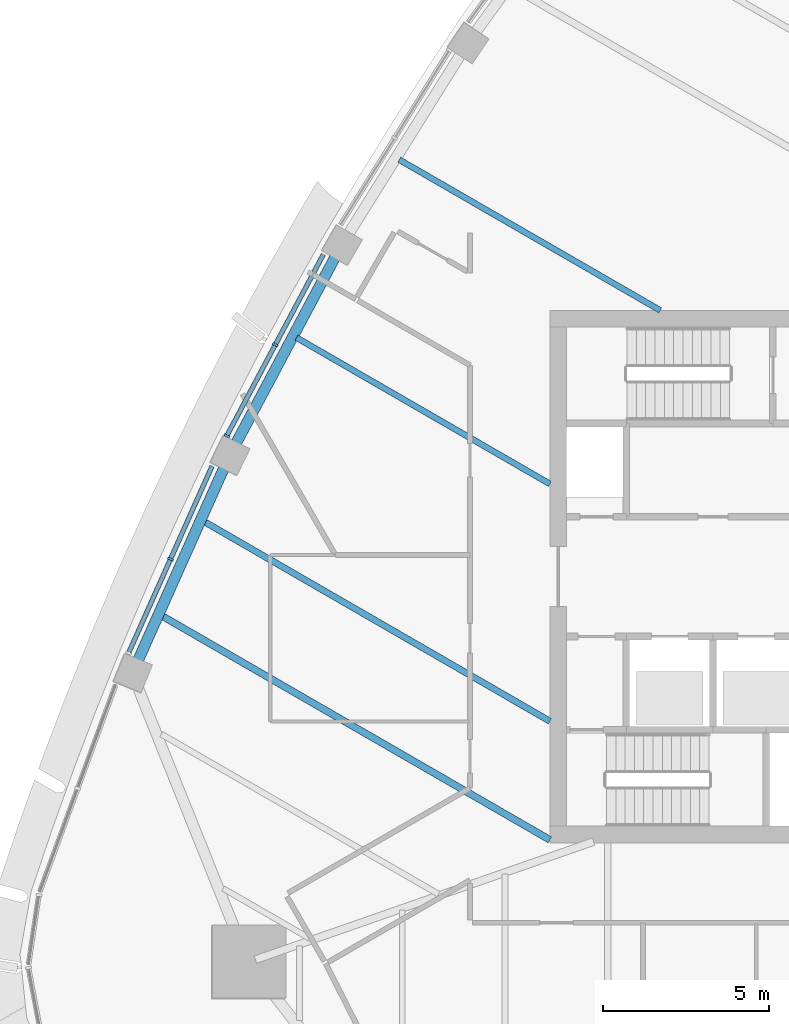
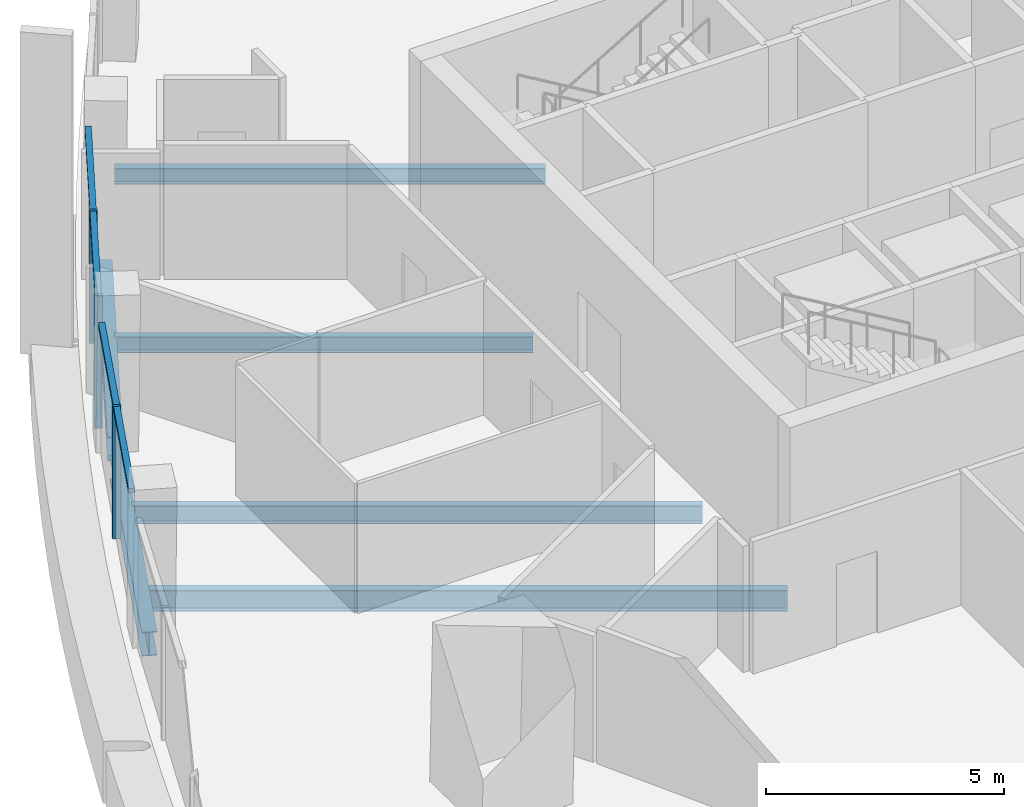
# One storey, part 3 of 19: 7 members, 6 beams, 2 elements without a shape of their own.
"""IFC4 building model written with IfcOpenShell, lengths in metres."""

import ifcopenshell
import ifcopenshell.guid

model = None  # the IFC model being written
_history = None  # IfcOwnerHistory: only IFC2X3 demands one
_inside = {}  # id of a spatial element -> (the spatial element, [elements in it])
_under = {}  # id of a project, library or spatial element -> (it, [spatial elements below it])
_declared = {}  # id of a project -> (the project, [libraries it declares])
_typed = {}  # id of a type object -> (the type object, [elements of that type])
_made_of = {}  # id of a material, layer set ... -> (it, [elements and type objects made of it])


def new_model(schema):
    """Start an empty IFC model of exactly this schema.

    Asked for "IFC4X3", IfcOpenShell would pick the latest addendum, in which some entities
    have other attributes; the version numbers below select the first issue.
    IFC2X3 requires an IfcOwnerHistory on every rooted entity: one is made here for all.
    """
    global model, _history
    if schema == "IFC4X3":
        model = ifcopenshell.file(schema_version=(4, 3, 0, 0))
    else:
        model = ifcopenshell.file(schema=schema)
    _inside.clear()
    _under.clear()
    _declared.clear()
    _typed.clear()
    _made_of.clear()
    _history = None
    if model.schema == "IFC2X3":
        org = make("IfcOrganization", Name="unknown")
        user = make(
            "IfcPersonAndOrganization",
            ThePerson=make("IfcPerson", FamilyName="unknown"),
            TheOrganization=org,
        )
        app = make(
            "IfcApplication",
            ApplicationDeveloper=org,
            Version="unknown",
            ApplicationFullName="unknown",
            ApplicationIdentifier="unknown",
        )
        _history = make(
            "IfcOwnerHistory",
            OwningUser=user,
            OwningApplication=app,
            ChangeAction="ADDED",
            CreationDate=0,
        )
    return model


def make(cls, **values):
    """One entity of the class cls with the attributes given. An attribute that is None is left unset."""
    return model.create_entity(
        cls, **{name: value for name, value in values.items() if value is not None}
    )


def rooted(cls, **values):
    """An entity with a GlobalId (a new one), such as an element, a storey or a relation."""
    return make(cls, GlobalId=ifcopenshell.guid.new(), OwnerHistory=_history, **values)


def si_unit(unit_type, name, prefix=None):
    """IfcSIUnit, for example si_unit("LENGTHUNIT", "METRE", prefix="MILLI")."""
    return make("IfcSIUnit", UnitType=unit_type, Prefix=prefix, Name=name)


def assignment(units):
    """IfcUnitAssignment: the units of a project."""
    return None if units is None else make("IfcUnitAssignment", Units=units)


def point(xyz):
    """IfcCartesianPoint."""
    return None if xyz is None else make("IfcCartesianPoint", Coordinates=xyz)


def direction(xyz):
    """IfcDirection."""
    return None if xyz is None else make("IfcDirection", DirectionRatios=xyz)


def frame(location, z_axis=None, x_axis=None):
    """IfcAxis2Placement3D, a coordinate frame: its origin and axes. An axis left out is left unset."""
    return make(
        "IfcAxis2Placement3D",
        Location=point(location),
        Axis=direction(z_axis),
        RefDirection=direction(x_axis),
    )


def frame_2d(location, x_axis=None):
    """IfcAxis2Placement2D, a coordinate frame in the plane: its origin and x axis."""
    return make(
        "IfcAxis2Placement2D", Location=point(location), RefDirection=direction(x_axis)
    )


def origin():
    """The frame at (0, 0, 0) with its axes left unset."""
    return frame((0.0, 0.0, 0.0))


def origin_2d():
    """The frame at (0, 0) in the plane with its x axis left unset."""
    return frame_2d((0.0, 0.0))


def place(relative_to, where):
    """IfcLocalPlacement: puts the frame where relative to a parent placement (None: the world)."""
    return make(
        "IfcLocalPlacement", PlacementRelTo=relative_to, RelativePlacement=where
    )


def context(
    kind, dimensions, precision=None, world=None, true_north=None, identifier=None
):
    """IfcGeometricRepresentationContext, for example the 3D "Model" context."""
    return make(
        "IfcGeometricRepresentationContext",
        ContextIdentifier=identifier,
        ContextType=kind,
        CoordinateSpaceDimension=dimensions,
        Precision=precision,
        WorldCoordinateSystem=world,
        TrueNorth=true_north,
    )


def subcontext(parent, identifier, kind, view, scale=None):
    """IfcGeometricRepresentationSubContext, for example "Body" below "Model"."""
    return make(
        "IfcGeometricRepresentationSubContext",
        ContextIdentifier=identifier,
        ContextType=kind,
        ParentContext=parent,
        TargetScale=scale,
        TargetView=view,
    )


def project(units=None, contexts=None):
    """IfcProject with its units and contexts."""
    return rooted(
        "IfcProject",
        Name="project",
        RepresentationContexts=contexts,
        UnitsInContext=assignment(units),
    )


def spatial(cls, under=None, at=None, **own):
    """A site, building, storey or space (cls), placed at a placement, below another one or the project."""
    s = rooted(cls, ObjectPlacement=at, **own)
    if under is not None:
        _under.setdefault(under.id(), (under, []))[1].append(s)
    return s


def profile(cls, at=None, kind="AREA", **sizes):
    """A parametric profile (cls). Its sizes go by their IFC names, for example OverallWidth=200.0."""
    return make(cls, ProfileType=kind, Position=at, **sizes)


def rectangle(**sizes):
    """IfcRectangleProfileDef."""
    return profile("IfcRectangleProfileDef", **sizes)


def i_section(**sizes):
    """IfcIShapeProfileDef."""
    return profile("IfcIShapeProfileDef", **sizes)


def extrude(swept, where, along, depth):
    """IfcExtrudedAreaSolid: the profile swept, set in the frame where, extruded along a direction by depth."""
    return make(
        "IfcExtrudedAreaSolid",
        SweptArea=swept,
        Position=where,
        ExtrudedDirection=direction(along),
        Depth=depth,
    )


def shape(context_of_items, identifier, shape_type, items):
    """IfcShapeRepresentation: the items that make up one representation, for example the "Body"."""
    return make(
        "IfcShapeRepresentation",
        ContextOfItems=context_of_items,
        RepresentationIdentifier=identifier,
        RepresentationType=shape_type,
        Items=items,
    )


def material(Name=None, Category=None):
    """IfcMaterial."""
    return make("IfcMaterial", Name=Name, Category=Category)


def layer(
    of_material, thickness, ventilated=None, Name=None, Category=None, Priority=None
):
    """IfcMaterialLayer: one layer of a wall or slab, of a material (None: an air gap)."""
    return make(
        "IfcMaterialLayer",
        Material=of_material,
        LayerThickness=thickness,
        IsVentilated=ventilated,
        Name=Name,
        Category=Category,
        Priority=Priority,
    )


def layer_set(layers, Name=None):
    """IfcMaterialLayerSet."""
    return make("IfcMaterialLayerSet", MaterialLayers=layers, LayerSetName=Name)


def material_profile(
    of_material, cross_section, Name=None, Category=None, Priority=None
):
    """IfcMaterialProfile: a cross section and its material."""
    return make(
        "IfcMaterialProfile",
        Name=Name,
        Material=of_material,
        Profile=cross_section,
        Priority=Priority,
        Category=Category,
    )


def profile_set(profiles, Name=None, composite=None):
    """IfcMaterialProfileSet."""
    return make(
        "IfcMaterialProfileSet",
        Name=Name,
        MaterialProfiles=profiles,
        CompositeProfile=composite,
    )


def made_of(thing, what):
    """Note that an element or type object is made of a material, layer set ...; save() writes the relation."""
    if what is not None:
        _made_of.setdefault(what.id(), (what, []))[1].append(thing)
    return thing


def type_object(cls, material=None, **own):
    """A type object (cls), such as IfcWallType, which elements share."""
    return made_of(rooted(cls, **own), material)


def element(
    cls,
    number,
    at=None,
    inside=None,
    cuts=None,
    type_object=None,
    material=None,
    context=None,
    identifier="Body",
    shape_type=None,
    held_by="IfcProductDefinitionShape",
    body=None,
    shapes=None,
    **own,
):
    """One element of the class cls, such as IfcWall. Its Tag is "e" and its number.

    at: its placement. inside: the storey or other place that contains it. cuts: it is an
    opening in that element (IfcRelVoidsElement). A single representation is given by context,
    identifier, shape_type and body (its items); several are given by shapes. held_by: the class
    of the entity that holds the representations. save() writes the other relations.
    """
    e = rooted(cls, Tag="e%d" % number, ObjectPlacement=at, **own)
    if body is not None:
        shapes = [shape(context, identifier, shape_type, body)]
    if shapes is not None:
        e.Representation = make(held_by, Representations=shapes)
    if inside is not None:
        _inside.setdefault(inside.id(), (inside, []))[1].append(e)
    if cuts is not None:
        rooted(
            "IfcRelVoidsElement", RelatingBuildingElement=cuts, RelatedOpeningElement=e
        )
    if type_object is not None:
        _typed.setdefault(type_object.id(), (type_object, []))[1].append(e)
    return made_of(e, material)


def aggregate(whole, parts):
    """IfcRelAggregates: a whole, such as a stair, and the parts it consists of."""
    return rooted("IfcRelAggregates", RelatingObject=whole, RelatedObjects=parts)


def save(model, path):
    """Write the relations noted so far, then the file.

    IfcRelAggregates (storeys below a building ...), IfcRelContainedInSpatialStructure (elements
    in a storey), IfcRelDefinesByType, IfcRelAssociatesMaterial and IfcRelDeclares: one each for
    every whole, place, type object, material and project.
    """
    for whole, parts in _under.values():
        aggregate(whole, parts)
    for where, things in _inside.values():
        rooted(
            "IfcRelContainedInSpatialStructure",
            RelatedElements=things,
            RelatingStructure=where,
        )
    for kind, things in _typed.values():
        rooted("IfcRelDefinesByType", RelatedObjects=things, RelatingType=kind)
    for what, things in _made_of.values():
        rooted("IfcRelAssociatesMaterial", RelatedObjects=things, RelatingMaterial=what)
    for by, libraries in _declared.values():
        rooted("IfcRelDeclares", RelatingContext=by, RelatedDefinitions=libraries)
    model.write(path)


model = new_model("IFC4")

# Units and contexts
model_context = context("Model", 3, precision=1e-05, world=origin(), true_north=direction((0.0, 1.0)))
body_context = subcontext(model_context, "Body", "Model", "MODEL_VIEW")
ifc_project = project(units=[si_unit("LENGTHUNIT", "METRE"), si_unit("AREAUNIT", "SQUARE_METRE"), si_unit("VOLUMEUNIT", "CUBIC_METRE"), si_unit("PLANEANGLEUNIT", "RADIAN"), si_unit("MASSUNIT", "GRAM", prefix="KILO")], contexts=[model_context])

# Site, building, storey
site_placement = place(None, origin())
site = spatial("IfcSite", under=ifc_project, at=site_placement, CompositionType="ELEMENT")
building_placement = place(site_placement, origin())
building = spatial("IfcBuilding", under=site, at=building_placement, Name="Sierra Prisma Convention Tower", CompositionType="ELEMENT")
storey_placement = place(building_placement, frame((0.0, 0.0, 311.0)))
storey = spatial("IfcBuildingStorey", under=building, at=storey_placement, Name="L71", CompositionType="ELEMENT", Elevation=311.0)

# Curtain wall, members
ifc_material_1 = material(Name="Aluminium and glass curtain wall", Category="aluminium")
ifc_layer = layer(ifc_material_1, 0.179931640625)
ifc_layer_set = layer_set([ifc_layer], Name="CW-1 Plain shaft curtain wall")
curtain_wall_type = type_object("IfcCurtainWallType", Name="CW-1 Plain shaft curtain wall", PredefinedType="NOTDEFINED", material=ifc_layer_set)
curtain_wall_1_placement = place(storey_placement, origin())
curtain_wall_1 = element("IfcCurtainWall", 1, at=curtain_wall_1_placement, inside=storey, type_object=curtain_wall_type, Name="CW-1 NW4 L71", PredefinedType="NOTDEFINED")
ifc_material_2 = material(Name="Aluminium 6063-T6 bronze anodised", Category="aluminium")
ifc_material_profile_1 = material_profile(ifc_material_2, rectangle(XDim=0.179931640625, YDim=0.070068359375, at=origin_2d()), Name="ALU MULLION 70x180")
ifc_profile_set_1 = profile_set([ifc_material_profile_1], Name="Aluminium 6063-T6 bronze anodised")
member_type_1 = type_object("IfcMemberType", Name="CW mullion bronze", PredefinedType="MULLION", material=ifc_profile_set_1)
member_1_placement = place(storey_placement, frame((-19.248291015625, 6.97021484375, 0.0), z_axis=(0.0, 0.0, 1.0), x_axis=(0.882764954036, -0.469814895384, 0.0)))
member_1 = element("IfcMember", 2, at=member_1_placement, type_object=member_type_1, Name="CW-1 mullion NW4.2", PredefinedType="MULLION", context=body_context, shape_type="SweptSolid", body=[
    extrude(rectangle(XDim=0.179931640625, YDim=0.070068359375, at=origin_2d()), origin(), (0.0, 0.0, 1.0), 3.39990234375),
])
member_2_placement = place(storey_placement, frame((-20.70703125, 4.229248046875, 0.0), z_axis=(0.0, 0.0, 1.0), x_axis=(0.882764954036, -0.469814895384, 0.0)))
member_2 = element("IfcMember", 3, at=member_2_placement, type_object=member_type_1, Name="CW-1 mullion NW4.3", PredefinedType="MULLION", context=body_context, shape_type="SweptSolid", body=[
    extrude(rectangle(XDim=0.179931640625, YDim=0.070068359375, at=origin_2d()), origin(), (0.0, 0.0, 1.0), 3.39990234375),
])

# Curtain wall, member
curtain_wall_2_placement = place(storey_placement, origin())
curtain_wall_2 = element("IfcCurtainWall", 4, at=curtain_wall_2_placement, inside=storey, type_object=curtain_wall_type, Name="CW-1 NW5 L71", PredefinedType="NOTDEFINED")
member_3_placement = place(storey_placement, frame((-22.398193359375, 0.527099609375, 0.0), z_axis=(0.0, 0.0, 1.0), x_axis=(0.913070310497, -0.407802167832, 0.0)))
member_3 = element("IfcMember", 5, at=member_3_placement, type_object=member_type_1, Name="CW-1 mullion NW5.2", PredefinedType="MULLION", context=body_context, shape_type="SweptSolid", body=[
    extrude(rectangle(XDim=0.179931640625, YDim=0.070068359375, at=origin_2d()), origin(), (0.0, 0.0, 1.0), 3.39990234375),
])

# Member
ifc_material_3 = material(Name="Aluminium 6063-T6 bronze anodised", Category="aluminium")
ifc_material_profile_2 = material_profile(ifc_material_3, rectangle(XDim=0.139892578125, YDim=0.1201171875, at=origin_2d()), Name="ALU TRANSOM 120x140")
ifc_profile_set_2 = profile_set([ifc_material_profile_2], Name="Aluminium 6063-T6 bronze anodised")
member_type_2 = type_object("IfcMemberType", Name="CW transom bronze", PredefinedType="USERDEFINED", material=ifc_profile_set_2)
member_4_placement = place(storey_placement, frame((-17.80615234375, 9.68017578125, 3.340087890625), z_axis=(-0.469819758956, -0.882762365586, 0.0), x_axis=(0.882762365586, -0.469819758956, 0.0)))
member_4 = element("IfcMember", 6, at=member_4_placement, type_object=member_type_2, Name="CW-1 transom NW4.1", ObjectType="TRANSOM", PredefinedType="USERDEFINED", context=body_context, shape_type="SweptSolid", body=[
    extrude(rectangle(XDim=0.139892578125, YDim=0.1201171875, at=origin_2d()), origin(), (0.0, 0.0, 1.0), 3.03466796875),
])

member_5_placement = place(storey_placement, frame((-19.264892578125, 6.939453125, 3.340087890625), z_axis=(-0.469786395806, -0.88278012116, 0.0), x_axis=(0.88278012116, -0.469786395806, 0.0)))
member_5 = element("IfcMember", 7, at=member_5_placement, type_object=member_type_2, Name="CW-1 transom NW4.2", ObjectType="TRANSOM", PredefinedType="USERDEFINED", context=body_context, shape_type="SweptSolid", body=[
    extrude(rectangle(XDim=0.139892578125, YDim=0.1201171875, at=origin_2d()), origin(), (0.0, 0.0, 1.0), 3.034912109375),
])

aggregate(curtain_wall_1, [member_1, member_2, member_4, member_5])

member_6_placement = place(storey_placement, frame((-21.152587890625, 3.315673828125, 3.340087890625), z_axis=(-0.407810976484, -0.913066376261, 0.0), x_axis=(0.913066376261, -0.407810976484, 0.0)))
member_6 = element("IfcMember", 8, at=member_6_placement, type_object=member_type_2, Name="CW-1 transom NW5.1", ObjectType="TRANSOM", PredefinedType="USERDEFINED", context=body_context, shape_type="SweptSolid", body=[
    extrude(rectangle(XDim=0.139892578125, YDim=0.1201171875, at=origin_2d()), origin(), (0.0, 0.0, 1.0), 3.01904296875),
])

member_7_placement = place(storey_placement, frame((-22.412353515625, 0.4951171875, 3.340087890625), z_axis=(-0.407810976484, -0.913066376261, 0.0), x_axis=(0.913066376261, -0.407810976484, 0.0)))
member_7 = element("IfcMember", 9, at=member_7_placement, type_object=member_type_2, Name="CW-1 transom NW5.2", ObjectType="TRANSOM", PredefinedType="USERDEFINED", context=body_context, shape_type="SweptSolid", body=[
    extrude(rectangle(XDim=0.139892578125, YDim=0.1201171875, at=origin_2d()), origin(), (0.0, 0.0, 1.0), 3.01904296875),
])

aggregate(curtain_wall_2, [member_3, member_6, member_7])

# Beams
ifc_material_4 = material(Name="Steel ASTM A992 Gr 50", Category="steel")
ifc_material_profile_3 = material_profile(ifc_material_4, i_section(OverallWidth=0.177978515625, OverallDepth=0.406982421875, WebThickness=0.0078125, FlangeThickness=0.0126953125, at=origin_2d()), Name="W410x60")
ifc_profile_set_3 = profile_set([ifc_material_profile_3], Name="Steel ASTM A992 Gr 50")
beam_type_1 = type_object("IfcBeamType", Name="Floor joist W410x60", PredefinedType="JOIST", material=ifc_profile_set_3)
beam_1_placement = place(storey_placement, frame((-15.525146484375, 12.5283203125, -0.353515625), z_axis=(0.866024875567, -0.500000914898, 0.0), x_axis=(0.500000914898, 0.866024875567, 0.0)))
element("IfcBeam", 10, at=beam_1_placement, inside=storey, type_object=beam_type_1, Name="Floor joist L71 NW06", PredefinedType="JOIST", context=body_context, shape_type="SweptSolid", body=[
    extrude(i_section(OverallWidth=0.177978515625, OverallDepth=0.406982421875, WebThickness=0.0078125, FlangeThickness=0.0126953125, at=origin_2d()), origin(), (0.0, 0.0, 1.0), 9.056640625),
])
beam_2_placement = place(storey_placement, frame((-18.612548828125, 7.180908203125, -0.353515625), z_axis=(0.866029718223, -0.499992527098, 0.0), x_axis=(0.499992527098, 0.866029718223, 0.0)))
element("IfcBeam", 11, at=beam_2_placement, inside=storey, type_object=beam_type_1, Name="Floor joist L71 NW08", PredefinedType="JOIST", context=body_context, shape_type="SweptSolid", body=[
    extrude(i_section(OverallWidth=0.177978515625, OverallDepth=0.406982421875, WebThickness=0.0078125, FlangeThickness=0.0126953125, at=origin_2d()), origin(), (0.0, 0.0, 1.0), 8.790283203125),
])
ifc_material_5 = material(Name="Steel ASTM A992 Gr 50", Category="steel")
ifc_material_profile_4 = material_profile(ifc_material_5, i_section(OverallWidth=0.18994140625, OverallDepth=0.45703125, WebThickness=0.009033203125, FlangeThickness=0.014404296875, at=origin_2d()), Name="W460x74")
ifc_profile_set_4 = profile_set([ifc_material_profile_4], Name="Steel ASTM A992 Gr 50")
beam_type_2 = type_object("IfcBeamType", Name="Floor joist W460x74", PredefinedType="JOIST", material=ifc_profile_set_4)
beam_3_placement = place(storey_placement, frame((-21.388427734375, 1.65380859375, -0.37841796875), z_axis=(0.86603273, -0.499987310408, 0.0), x_axis=(0.499987310408, 0.86603273, 0.0)))
element("IfcBeam", 12, at=beam_3_placement, inside=storey, type_object=beam_type_2, Name="Floor joist L71 NW10", PredefinedType="JOIST", context=body_context, shape_type="SweptSolid", body=[
    extrude(i_section(OverallWidth=0.18994140625, OverallDepth=0.45703125, WebThickness=0.009033203125, FlangeThickness=0.014404296875, at=origin_2d()), origin(), (0.0, 0.0, 1.0), 11.995361328125),
])
ifc_material_6 = material(Name="Steel ASTM A992 Gr 50", Category="steel")
ifc_material_profile_5 = material_profile(ifc_material_6, i_section(OverallWidth=0.208984375, OverallDepth=0.532958984375, WebThickness=0.01025390625, FlangeThickness=0.015625, at=origin_2d()), Name="W530x92")
ifc_profile_set_5 = profile_set([ifc_material_profile_5], Name="Steel ASTM A992 Gr 50")
beam_type_3 = type_object("IfcBeamType", Name="Floor joist W530x92", PredefinedType="JOIST", material=ifc_profile_set_5)
beam_4_placement = place(storey_placement, frame((-22.654052734375, -1.18017578125, -0.41650390625), z_axis=(0.866023951231, -0.500002515888, 0.0), x_axis=(0.500002515888, 0.866023951231, 0.0)))
element("IfcBeam", 13, at=beam_4_placement, inside=storey, type_object=beam_type_3, Name="Floor joist L71 NW11", PredefinedType="JOIST", context=body_context, shape_type="SweptSolid", body=[
    extrude(i_section(OverallWidth=0.208984375, OverallDepth=0.532958984375, WebThickness=0.01025390625, FlangeThickness=0.015625, at=origin_2d()), origin(), (0.0, 0.0, 1.0), 13.45703125),
])
ifc_material_7 = material(Name="Steel ASTM A992 Gr 50", Category="steel")
ifc_material_profile_6 = material_profile(ifc_material_7, i_section(OverallWidth=0.324951171875, OverallDepth=0.615966796875, WebThickness=0.013916015625, FlangeThickness=0.021484375, at=origin_2d()), Name="W610x174")
ifc_profile_set_6 = profile_set([ifc_material_profile_6], Name="Steel ASTM A992 Gr 50")
beam_type_4 = type_object("IfcBeamType", Name="Spandrel beam W610x174", PredefinedType="BEAM", material=ifc_profile_set_6)
for number, where, z_axis, x_axis, name in (
    (14, (-17.413818359375, 9.6728515625, -0.4580078125), (-0.469805227022, -0.882770099552, 0.0), (0.882770099552, -0.469805227022, 0.0), "Spandrel L71-16"),
    (15, (-20.760986328125, 3.33544921875, -0.4580078125), (-0.407784349018, -0.913078268658, 0.0), (0.913078268658, -0.407784349018, 0.0), "Spandrel L71-17"),
):
    element("IfcBeam", number, at=place(storey_placement, frame(where, z_axis=z_axis, x_axis=x_axis)), inside=storey, type_object=beam_type_4, Name=name, PredefinedType="BEAM", context=body_context, shape_type="SweptSolid", body=[
        extrude(i_section(OverallWidth=0.324951171875, OverallDepth=0.615966796875, WebThickness=0.013916015625, FlangeThickness=0.021484375, at=origin_2d()), origin(), (0.0, 0.0, 1.0), 6.50732421875),
    ])

save(model, "model.ifc")
